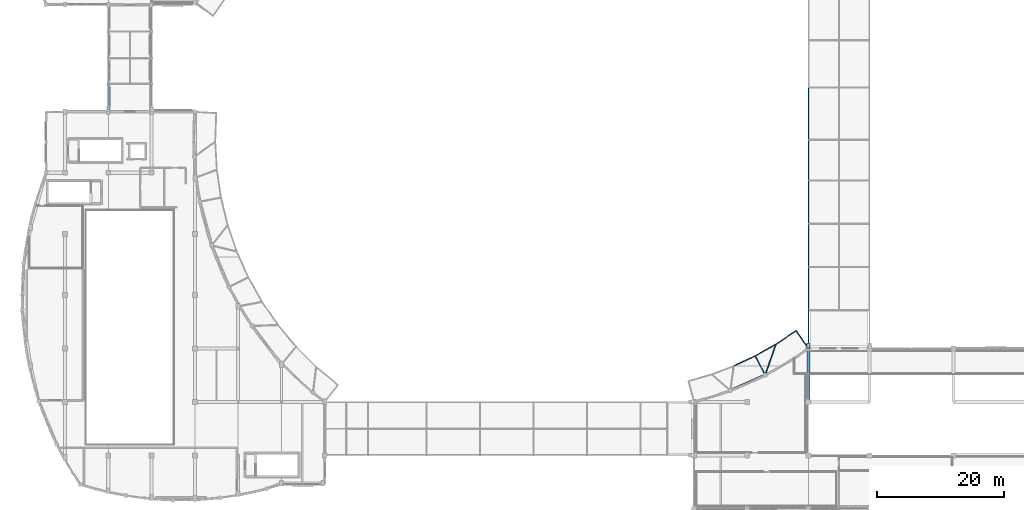
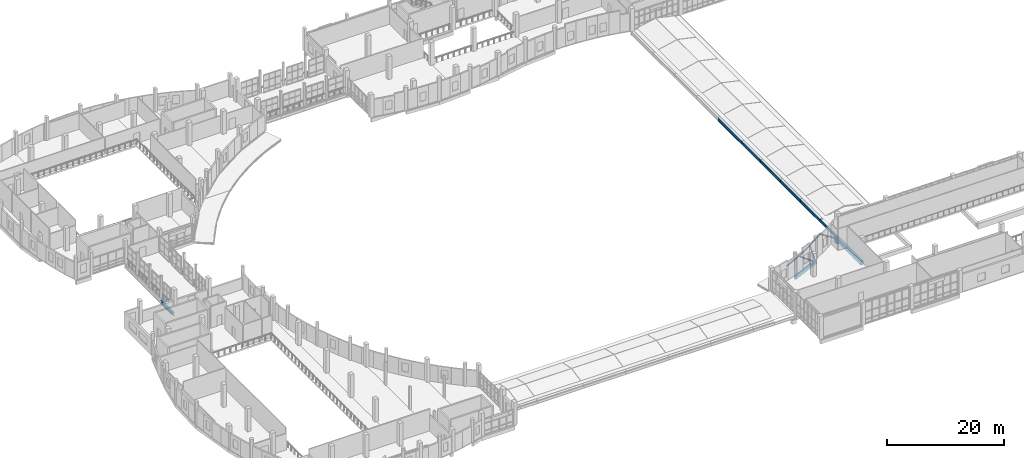
# One storey, part 23 of 106: 16 beams.
"""IFC4 building model written with IfcOpenShell, lengths in metres."""

import ifcopenshell
import ifcopenshell.guid

model = None  # the IFC model being written
_history = None  # IfcOwnerHistory: only IFC2X3 demands one
_inside = {}  # id of a spatial element -> (the spatial element, [elements in it])
_under = {}  # id of a project, library or spatial element -> (it, [spatial elements below it])
_declared = {}  # id of a project -> (the project, [libraries it declares])
_typed = {}  # id of a type object -> (the type object, [elements of that type])
_made_of = {}  # id of a material, layer set ... -> (it, [elements and type objects made of it])


def new_model(schema):
    """Start an empty IFC model of exactly this schema.

    Asked for "IFC4X3", IfcOpenShell would pick the latest addendum, in which some entities
    have other attributes; the version numbers below select the first issue.
    IFC2X3 requires an IfcOwnerHistory on every rooted entity: one is made here for all.
    """
    global model, _history
    if schema == "IFC4X3":
        model = ifcopenshell.file(schema_version=(4, 3, 0, 0))
    else:
        model = ifcopenshell.file(schema=schema)
    _inside.clear()
    _under.clear()
    _declared.clear()
    _typed.clear()
    _made_of.clear()
    _history = None
    if model.schema == "IFC2X3":
        org = make("IfcOrganization", Name="unknown")
        user = make(
            "IfcPersonAndOrganization",
            ThePerson=make("IfcPerson", FamilyName="unknown"),
            TheOrganization=org,
        )
        app = make(
            "IfcApplication",
            ApplicationDeveloper=org,
            Version="unknown",
            ApplicationFullName="unknown",
            ApplicationIdentifier="unknown",
        )
        _history = make(
            "IfcOwnerHistory",
            OwningUser=user,
            OwningApplication=app,
            ChangeAction="ADDED",
            CreationDate=0,
        )
    return model


def make(cls, **values):
    """One entity of the class cls with the attributes given. An attribute that is None is left unset."""
    return model.create_entity(
        cls, **{name: value for name, value in values.items() if value is not None}
    )


def rooted(cls, **values):
    """An entity with a GlobalId (a new one), such as an element, a storey or a relation."""
    return make(cls, GlobalId=ifcopenshell.guid.new(), OwnerHistory=_history, **values)


def si_unit(unit_type, name, prefix=None):
    """IfcSIUnit, for example si_unit("LENGTHUNIT", "METRE", prefix="MILLI")."""
    return make("IfcSIUnit", UnitType=unit_type, Prefix=prefix, Name=name)


def assignment(units):
    """IfcUnitAssignment: the units of a project."""
    return None if units is None else make("IfcUnitAssignment", Units=units)


def point(xyz):
    """IfcCartesianPoint."""
    return None if xyz is None else make("IfcCartesianPoint", Coordinates=xyz)


def direction(xyz):
    """IfcDirection."""
    return None if xyz is None else make("IfcDirection", DirectionRatios=xyz)


def frame(location, z_axis=None, x_axis=None):
    """IfcAxis2Placement3D, a coordinate frame: its origin and axes. An axis left out is left unset."""
    return make(
        "IfcAxis2Placement3D",
        Location=point(location),
        Axis=direction(z_axis),
        RefDirection=direction(x_axis),
    )


def frame_2d(location, x_axis=None):
    """IfcAxis2Placement2D, a coordinate frame in the plane: its origin and x axis."""
    return make(
        "IfcAxis2Placement2D", Location=point(location), RefDirection=direction(x_axis)
    )


def origin():
    """The frame at (0, 0, 0) with its axes left unset."""
    return frame((0.0, 0.0, 0.0))


def origin_2d():
    """The frame at (0, 0) in the plane with its x axis left unset."""
    return frame_2d((0.0, 0.0))


def place(relative_to, where):
    """IfcLocalPlacement: puts the frame where relative to a parent placement (None: the world)."""
    return make(
        "IfcLocalPlacement", PlacementRelTo=relative_to, RelativePlacement=where
    )


def context(
    kind, dimensions, precision=None, world=None, true_north=None, identifier=None
):
    """IfcGeometricRepresentationContext, for example the 3D "Model" context."""
    return make(
        "IfcGeometricRepresentationContext",
        ContextIdentifier=identifier,
        ContextType=kind,
        CoordinateSpaceDimension=dimensions,
        Precision=precision,
        WorldCoordinateSystem=world,
        TrueNorth=true_north,
    )


def subcontext(parent, identifier, kind, view, scale=None):
    """IfcGeometricRepresentationSubContext, for example "Body" below "Model"."""
    return make(
        "IfcGeometricRepresentationSubContext",
        ContextIdentifier=identifier,
        ContextType=kind,
        ParentContext=parent,
        TargetScale=scale,
        TargetView=view,
    )


def project(units=None, contexts=None):
    """IfcProject with its units and contexts."""
    return rooted(
        "IfcProject",
        Name="project",
        RepresentationContexts=contexts,
        UnitsInContext=assignment(units),
    )


def spatial(cls, under=None, at=None, **own):
    """A site, building, storey or space (cls), placed at a placement, below another one or the project."""
    s = rooted(cls, ObjectPlacement=at, **own)
    if under is not None:
        _under.setdefault(under.id(), (under, []))[1].append(s)
    return s


def profile(cls, at=None, kind="AREA", **sizes):
    """A parametric profile (cls). Its sizes go by their IFC names, for example OverallWidth=200.0."""
    return make(cls, ProfileType=kind, Position=at, **sizes)


def rectangle(**sizes):
    """IfcRectangleProfileDef."""
    return profile("IfcRectangleProfileDef", **sizes)


def i_section(**sizes):
    """IfcIShapeProfileDef."""
    return profile("IfcIShapeProfileDef", **sizes)


def extrude(swept, where, along, depth):
    """IfcExtrudedAreaSolid: the profile swept, set in the frame where, extruded along a direction by depth."""
    return make(
        "IfcExtrudedAreaSolid",
        SweptArea=swept,
        Position=where,
        ExtrudedDirection=direction(along),
        Depth=depth,
    )


def shape(context_of_items, identifier, shape_type, items):
    """IfcShapeRepresentation: the items that make up one representation, for example the "Body"."""
    return make(
        "IfcShapeRepresentation",
        ContextOfItems=context_of_items,
        RepresentationIdentifier=identifier,
        RepresentationType=shape_type,
        Items=items,
    )


def material(Name=None, Category=None):
    """IfcMaterial."""
    return make("IfcMaterial", Name=Name, Category=Category)


def material_profile(
    of_material, cross_section, Name=None, Category=None, Priority=None
):
    """IfcMaterialProfile: a cross section and its material."""
    return make(
        "IfcMaterialProfile",
        Name=Name,
        Material=of_material,
        Profile=cross_section,
        Priority=Priority,
        Category=Category,
    )


def profile_set(profiles, Name=None, composite=None):
    """IfcMaterialProfileSet."""
    return make(
        "IfcMaterialProfileSet",
        Name=Name,
        MaterialProfiles=profiles,
        CompositeProfile=composite,
    )


def made_of(thing, what):
    """Note that an element or type object is made of a material, layer set ...; save() writes the relation."""
    if what is not None:
        _made_of.setdefault(what.id(), (what, []))[1].append(thing)
    return thing


def type_object(cls, material=None, **own):
    """A type object (cls), such as IfcWallType, which elements share."""
    return made_of(rooted(cls, **own), material)


def element(
    cls,
    number,
    at=None,
    inside=None,
    cuts=None,
    type_object=None,
    material=None,
    context=None,
    identifier="Body",
    shape_type=None,
    held_by="IfcProductDefinitionShape",
    body=None,
    shapes=None,
    **own,
):
    """One element of the class cls, such as IfcWall. Its Tag is "e" and its number.

    at: its placement. inside: the storey or other place that contains it. cuts: it is an
    opening in that element (IfcRelVoidsElement). A single representation is given by context,
    identifier, shape_type and body (its items); several are given by shapes. held_by: the class
    of the entity that holds the representations. save() writes the other relations.
    """
    e = rooted(cls, Tag="e%d" % number, ObjectPlacement=at, **own)
    if body is not None:
        shapes = [shape(context, identifier, shape_type, body)]
    if shapes is not None:
        e.Representation = make(held_by, Representations=shapes)
    if inside is not None:
        _inside.setdefault(inside.id(), (inside, []))[1].append(e)
    if cuts is not None:
        rooted(
            "IfcRelVoidsElement", RelatingBuildingElement=cuts, RelatedOpeningElement=e
        )
    if type_object is not None:
        _typed.setdefault(type_object.id(), (type_object, []))[1].append(e)
    return made_of(e, material)


def aggregate(whole, parts):
    """IfcRelAggregates: a whole, such as a stair, and the parts it consists of."""
    return rooted("IfcRelAggregates", RelatingObject=whole, RelatedObjects=parts)


def save(model, path):
    """Write the relations noted so far, then the file.

    IfcRelAggregates (storeys below a building ...), IfcRelContainedInSpatialStructure (elements
    in a storey), IfcRelDefinesByType, IfcRelAssociatesMaterial and IfcRelDeclares: one each for
    every whole, place, type object, material and project.
    """
    for whole, parts in _under.values():
        aggregate(whole, parts)
    for where, things in _inside.values():
        rooted(
            "IfcRelContainedInSpatialStructure",
            RelatedElements=things,
            RelatingStructure=where,
        )
    for kind, things in _typed.values():
        rooted("IfcRelDefinesByType", RelatedObjects=things, RelatingType=kind)
    for what, things in _made_of.values():
        rooted("IfcRelAssociatesMaterial", RelatedObjects=things, RelatingMaterial=what)
    for by, libraries in _declared.values():
        rooted("IfcRelDeclares", RelatingContext=by, RelatedDefinitions=libraries)
    model.write(path)


model = new_model("IFC4")

# Units and contexts
model_context = context("Model", 3, precision=1e-05, world=origin(), true_north=direction((0.0, 1.0)))
body_context = subcontext(model_context, "Body", "Model", "MODEL_VIEW")
ifc_project = project(units=[si_unit("LENGTHUNIT", "METRE"), si_unit("AREAUNIT", "SQUARE_METRE"), si_unit("VOLUMEUNIT", "CUBIC_METRE"), si_unit("PLANEANGLEUNIT", "RADIAN"), si_unit("MASSUNIT", "GRAM", prefix="KILO")], contexts=[model_context])

# Site, building, storey
site_placement = place(None, origin())
site = spatial("IfcSite", under=ifc_project, at=site_placement, CompositionType="ELEMENT")
building_placement = place(site_placement, origin())
building = spatial("IfcBuilding", under=site, at=building_placement, Name="Kisaragi Civic Commons", CompositionType="ELEMENT")
storey_placement = place(building_placement, frame((0.0, 0.0, 4.800048828125)))
storey = spatial("IfcBuildingStorey", under=building, at=storey_placement, Name="L01", CompositionType="ELEMENT", Elevation=4.800048828125)

# Beams
ifc_material_1 = material(Name="Concrete Fc36", Category="concrete")
ifc_material_profile_1 = material_profile(ifc_material_1, rectangle(XDim=0.550048828125, YDim=0.85009765625, at=origin_2d()), Name="RC-550x850", Category="concrete")
ifc_profile_set_1 = profile_set([ifc_material_profile_1], Name="Concrete Fc36")
beam_type_1 = type_object("IfcBeamType", Name="CB-01", PredefinedType="BEAM", material=ifc_profile_set_1)
beam_1_placement = place(storey_placement, frame((123.60009765625, 25.199951171875, -1.3701171875), z_axis=(0.0, 1.0, 0.0), x_axis=(-1.0, 0.0, 0.0)))
element("IfcBeam", 1, at=beam_1_placement, inside=storey, type_object=beam_type_1, Name="BR-V4-V3 L01 seismic corbel 140", PredefinedType="BEAM", context=body_context, shape_type="SweptSolid", body=[
    extrude(rectangle(XDim=0.550048828125, YDim=0.85009765625, at=origin_2d()), origin(), (0.0, 0.0, 1.0), 0.8701171875),
])
ifc_material_2 = material(Name="Concrete Fc30", Category="concrete")
ifc_material_profile_2 = material_profile(ifc_material_2, rectangle(XDim=0.5, YDim=0.85009765625, at=origin_2d()), Name="RC-500x850", Category="concrete")
ifc_profile_set_2 = profile_set([ifc_material_profile_2], Name="Concrete Fc30")
beam_type_2 = type_object("IfcBeamType", Name="G-02", PredefinedType="BEAM", material=ifc_profile_set_2)
beam_2_placement = place(storey_placement, frame((123.60009765625, 16.800048828125, -0.72998046875), z_axis=(0.0, 1.0, 0.0), x_axis=(-1.0, 0.0, 0.0)))
element("IfcBeam", 2, at=beam_2_placement, inside=storey, type_object=beam_type_2, Name="L01 girder G-02 215", PredefinedType="BEAM", context=body_context, shape_type="SweptSolid", body=[
    extrude(rectangle(XDim=0.5, YDim=0.85009765625, at=origin_2d()), origin(), (0.0, 0.0, 1.0), 8.39990234375),
])
ifc_material_3 = material(Name="Steel SN490 (SN490B)", Category="steel")
ifc_material_profile_3 = material_profile(ifc_material_3, i_section(OverallWidth=0.300048828125, OverallDepth=0.699951171875, WebThickness=0.012939453125, FlangeThickness=0.02392578125, FilletRadius=0.01806640625, at=origin_2d()), Name="H-700x300x13x24", Category="steel")
ifc_profile_set_3 = profile_set([ifc_material_profile_3], Name="Steel SN490 (SN490B)")
beam_type_3 = type_object("IfcBeamType", Name="G-09", PredefinedType="BEAM", material=ifc_profile_set_3)
beam_3_placement = place(storey_placement, frame((13.60009765625, 66.800048828125, -0.655029296875), z_axis=(0.0, -1.0, 0.0), x_axis=(1.0, 0.0, 0.0)))
element("IfcBeam", 3, at=beam_3_placement, inside=storey, type_object=beam_type_3, Name="BR-V2-V1 L01 bridge girder 64", PredefinedType="BEAM", context=body_context, shape_type="SweptSolid", body=[
    extrude(i_section(OverallWidth=0.300048828125, OverallDepth=0.699951171875, WebThickness=0.012939453125, FlangeThickness=0.02392578125, FilletRadius=0.01806640625, at=origin_2d()), origin(), (0.0, 0.0, 1.0), 4.25),
])
ifc_material_profile_4 = material_profile(ifc_material_3, i_section(OverallWidth=0.199951171875, OverallDepth=0.60009765625, WebThickness=0.010986328125, FlangeThickness=0.01708984375, FilletRadius=0.012939453125, at=origin_2d()), Name="H-600x200x11x17", Category="steel")
ifc_profile_set_4 = profile_set([ifc_material_profile_4], Name="Steel SN490 (SN490B)")
beam_type_4 = type_object("IfcBeamType", Name="G-10", PredefinedType="BEAM", material=ifc_profile_set_4)
beam_4_placement = place(storey_placement, frame((123.60009765625, 66.199951171875, -0.580078125), z_axis=(0.0, -1.0, 0.0), x_axis=(1.0, 0.0, 0.0)))
element("IfcBeam", 4, at=beam_4_placement, inside=storey, type_object=beam_type_4, Name="BR-V4-V3 L01 bridge girder 134", PredefinedType="BEAM", context=body_context, shape_type="SweptSolid", body=[
    extrude(i_section(OverallWidth=0.199951171875, OverallDepth=0.60009765625, WebThickness=0.010986328125, FlangeThickness=0.01708984375, FilletRadius=0.012939453125, at=origin_2d()), origin(), (0.0, 0.0, 1.0), 8.199951171875),
])
beam_5_placement = place(storey_placement, frame((123.60009765625, 58.0, -0.580078125), z_axis=(0.0, -1.0, 0.0), x_axis=(1.0, 0.0, 0.0)))
element("IfcBeam", 5, at=beam_5_placement, inside=storey, type_object=beam_type_4, Name="BR-V4-V3 L01 bridge girder 135", PredefinedType="BEAM", context=body_context, shape_type="SweptSolid", body=[
    extrude(i_section(OverallWidth=0.199951171875, OverallDepth=0.60009765625, WebThickness=0.010986328125, FlangeThickness=0.01708984375, FilletRadius=0.012939453125, at=origin_2d()), origin(), (0.0, 0.0, 1.0), 6.39990234375),
])
for number, where, z_axis, x_axis, name in (
    (6, (123.60009765625, 51.60009765625, -0.580078125), (0.0, -1.0, 0.0), (1.0, 0.0, 0.0), "BR-V4-V3 L01 bridge girder 136"),
    (7, (123.60009765625, 44.800048828125, -0.580078125), (0.0, -1.0, 0.0), (1.0, 0.0, 0.0), "BR-V4-V3 L01 bridge girder 137"),
    (8, (123.60009765625, 38.0, -0.580078125), (0.0, -1.0, 0.0), (1.0, 0.0, 0.0), "BR-V4-V3 L01 bridge girder 138"),
):
    element("IfcBeam", number, at=place(storey_placement, frame(where, z_axis=z_axis, x_axis=x_axis)), inside=storey, type_object=beam_type_4, Name=name, PredefinedType="BEAM", context=body_context, shape_type="SweptSolid", body=[
        extrude(i_section(OverallWidth=0.199951171875, OverallDepth=0.60009765625, WebThickness=0.010986328125, FlangeThickness=0.01708984375, FilletRadius=0.012939453125, at=origin_2d()), origin(), (0.0, 0.0, 1.0), 6.800048828125),
    ])
beam_6_placement = place(storey_placement, frame((123.60009765625, 31.199951171875, -0.580078125), z_axis=(0.0, -1.0, 0.0), x_axis=(1.0, 0.0, 0.0)))
element("IfcBeam", 9, at=beam_6_placement, inside=storey, type_object=beam_type_4, Name="BR-V4-V3 L01 bridge girder 139", PredefinedType="BEAM", context=body_context, shape_type="SweptSolid", body=[
    extrude(i_section(OverallWidth=0.199951171875, OverallDepth=0.60009765625, WebThickness=0.010986328125, FlangeThickness=0.01708984375, FilletRadius=0.012939453125, at=origin_2d()), origin(), (0.0, 0.0, 1.0), 5.849853515625),
])
ifc_material_4 = material(Name="Steel SN400 (SN400B)", Category="steel")
ifc_material_profile_5 = material_profile(ifc_material_4, i_section(OverallWidth=0.125, OverallDepth=0.25, WebThickness=0.006103515625, FlangeThickness=0.009033203125, FilletRadius=0.008056640625, at=origin_2d()), Name="H-250x125x6x9", Category="steel")
ifc_profile_set_5 = profile_set([ifc_material_profile_5], Name="Steel SN400 (SN400B)")
beam_type_5 = type_object("IfcBeamType", Name="J-05", PredefinedType="JOIST", material=ifc_profile_set_5)
for number, where, z_axis, x_axis, name in (
    (10, (111.859619140625, 22.456298828125, -0.75), (0.906168110027, 0.422917670913, 0.0), (-0.422917670913, 0.906168110027, 0.0), "VER-V3 L01 edge beam 90"),
    (11, (115.244140625, 24.035888671875, -0.75), (0.8710250852, 0.491238537732, 0.0), (-0.491238537732, 0.8710250852, 0.0), "VER-V3 L01 edge beam 91"),
):
    element("IfcBeam", number, at=place(storey_placement, frame(where, z_axis=z_axis, x_axis=x_axis)), inside=storey, type_object=beam_type_5, Name=name, PredefinedType="JOIST", context=body_context, shape_type="SweptSolid", body=[
        extrude(i_section(OverallWidth=0.125, OverallDepth=0.25, WebThickness=0.006103515625, FlangeThickness=0.009033203125, FilletRadius=0.008056640625, at=origin_2d()), origin(), (0.0, 0.0, 1.0), 3.73486328125),
    ])
beam_7_placement = place(storey_placement, frame((118.497314453125, 25.87060546875, -0.75), z_axis=(0.83047546089, 0.557055211679, 0.0), x_axis=(-0.557055211679, 0.83047546089, 0.0)))
element("IfcBeam", 12, at=beam_7_placement, inside=storey, type_object=beam_type_5, Name="VER-V3 L01 edge beam 92", PredefinedType="JOIST", context=body_context, shape_type="SweptSolid", body=[
    extrude(i_section(OverallWidth=0.125, OverallDepth=0.25, WebThickness=0.006103515625, FlangeThickness=0.009033203125, FilletRadius=0.008056640625, at=origin_2d()), origin(), (0.0, 0.0, 1.0), 3.80029296875),
])
beam_8_placement = place(storey_placement, frame((115.244140625, 24.035888671875, -0.75), z_axis=(0.457380460082, -0.889271114304, 0.0), x_axis=(0.889271114304, 0.457380460082, 0.0)))
element("IfcBeam", 13, at=beam_8_placement, inside=storey, type_object=beam_type_5, Name="VER-V3 L01 radial tie 96", PredefinedType="JOIST", context=body_context, shape_type="SweptSolid", body=[
    extrude(i_section(OverallWidth=0.125, OverallDepth=0.25, WebThickness=0.006103515625, FlangeThickness=0.009033203125, FilletRadius=0.008056640625, at=origin_2d()), origin(), (0.0, 0.0, 1.0), 3.400146484375),
])
beam_9_placement = place(storey_placement, frame((118.497314453125, 25.87060546875, -0.75), z_axis=(-0.329927785858, -0.944006173771, 0.0), x_axis=(0.944006173771, -0.329927785858, 0.0)))
element("IfcBeam", 14, at=beam_9_placement, inside=storey, type_object=beam_type_5, Name="VER-V3 L01 radial tie 97", PredefinedType="JOIST", context=body_context, shape_type="SweptSolid", body=[
    extrude(i_section(OverallWidth=0.125, OverallDepth=0.25, WebThickness=0.006103515625, FlangeThickness=0.009033203125, FilletRadius=0.008056640625, at=origin_2d()), origin(), (0.0, 0.0, 1.0), 5.146484375),
])
beam_10_placement = place(storey_placement, frame((121.6533203125, 27.987548828125, -0.75), z_axis=(0.572565655002, -0.819858872436, 0.0), x_axis=(0.819858872436, 0.572565655002, 0.0)))
element("IfcBeam", 15, at=beam_10_placement, inside=storey, type_object=beam_type_5, Name="VER-V3 L01 radial tie 98", PredefinedType="JOIST", context=body_context, shape_type="SweptSolid", body=[
    extrude(i_section(OverallWidth=0.125, OverallDepth=0.25, WebThickness=0.006103515625, FlangeThickness=0.009033203125, FilletRadius=0.008056640625, at=origin_2d()), origin(), (0.0, 0.0, 1.0), 3.400146484375),
])
ifc_material_profile_6 = material_profile(ifc_material_2, rectangle(XDim=0.39990234375, YDim=0.64990234375, at=origin_2d()), Name="RC-400x650", Category="concrete")
ifc_profile_set_6 = profile_set([ifc_material_profile_6], Name="Concrete Fc30")
beam_type_6 = type_object("IfcBeamType", Name="SPB-02", PredefinedType="SPANDREL", material=ifc_profile_set_6)
beam_11_placement = place(storey_placement, frame((111.3212890625, 18.5830078125, -0.630126953125), z_axis=(0.914150599425, 0.405374742146, 0.0), x_axis=(-0.405374742146, 0.914150599425, 0.0)))
element("IfcBeam", 16, at=beam_11_placement, inside=storey, type_object=beam_type_6, Name="L01 curved spandrel/ring girder SPB-02 221", PredefinedType="SPANDREL", context=body_context, shape_type="SweptSolid", body=[
    extrude(rectangle(XDim=0.39990234375, YDim=0.64990234375, at=origin_2d()), origin(), (0.0, 0.0, 1.0), 5.992431640625),
])

save(model, "model.ifc")
